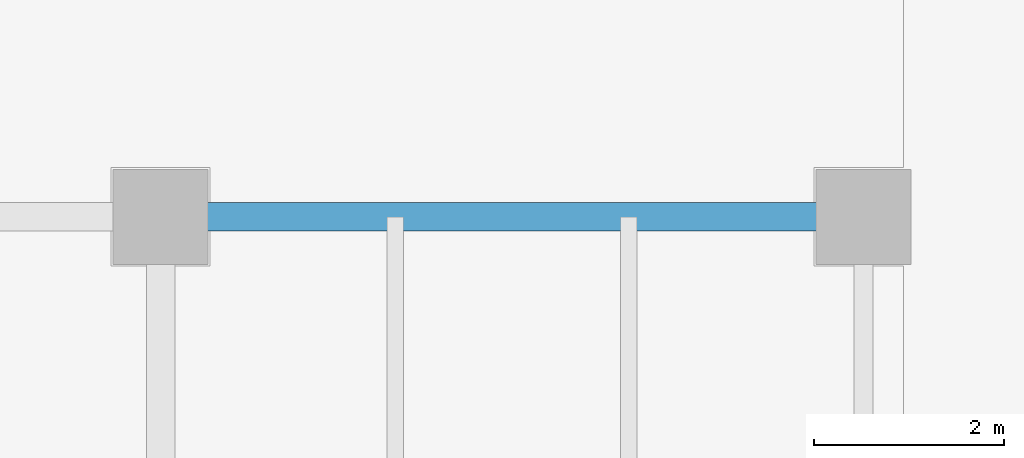
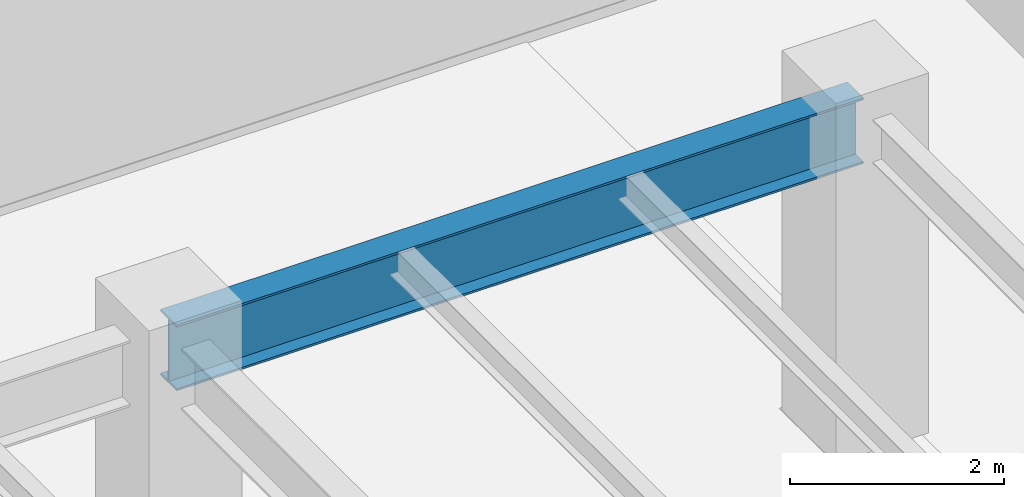
# One storey, part 21 of 36: 1 beam.
"""IFC4 building model written with IfcOpenShell, lengths in metres."""

from ifc_helpers import new_model, si_unit, direction, frame, origin, origin_2d, place, context, subcontext, project, spatial, i_section, extrude, source, transform, mapped, material, material_profile, profile_set, type_object, type_shapes, element, save


model = new_model("IFC4")

# Units and contexts
model_context = context("Model", 3, precision=1e-05, world=origin(), true_north=direction((0.0, 1.0)))
body_context = subcontext(model_context, "Body", "Model", "MODEL_VIEW")
ifc_project = project(units=[si_unit("LENGTHUNIT", "METRE"), si_unit("AREAUNIT", "SQUARE_METRE"), si_unit("VOLUMEUNIT", "CUBIC_METRE"), si_unit("PLANEANGLEUNIT", "RADIAN"), si_unit("MASSUNIT", "GRAM", prefix="KILO")], contexts=[model_context])

# Site, building, storey
site_placement = place(None, origin())
site = spatial("IfcSite", under=ifc_project, at=site_placement, CompositionType="ELEMENT")
building_placement = place(site_placement, origin())
building = spatial("IfcBuilding", under=site, at=building_placement, Name="Haelvirn Gate Laboratories", CompositionType="ELEMENT")
storey_placement = place(building_placement, frame((0.0, 0.0, 49.800048828125)))
storey = spatial("IfcBuildingStorey", under=building, at=storey_placement, Name="L12", CompositionType="ELEMENT", Elevation=49.800048828125)

# Beam
ifc_material = material(Name="Steel SM355", Category="steel")
ifc_material_profile = material_profile(ifc_material, i_section(OverallWidth=0.300048828125, OverallDepth=0.75, WebThickness=0.013916015625, FlangeThickness=0.02392578125, at=origin_2d()), Name="H-750x300x14x24")
ifc_profile_set = profile_set([ifc_material_profile], Name="Steel SM355")
beam_type = type_object("IfcBeamType", Name="BM-G-750", PredefinedType="BEAM", material=ifc_profile_set)
shared_shape = source(origin(), body_context, "Body", "SweptSolid", [
    extrude(i_section(OverallWidth=0.300048828125, OverallDepth=0.75, WebThickness=0.013916015625, FlangeThickness=0.02392578125, at=origin_2d()), origin(), (0.0, 0.0, 1.0), 7.39990234375),
])
type_shapes(beam_type, [shared_shape])
beam_placement = place(storey_placement, frame((60.0, 41.60009765625, 3.405029296875), z_axis=(1.0, 0.0, 0.0), x_axis=(0.0, 1.0, 0.0)))
element("IfcBeam", 1, at=beam_placement, inside=storey, type_object=beam_type, Name="L12 Primary Girder Y41.6 (60.0-67.4)", PredefinedType="BEAM", context=body_context, shape_type="MappedRepresentation", body=[
    mapped(shared_shape, transform((0.0, 0.0, 0.0), scale=1.0)),
])

save(model, "model.ifc")
